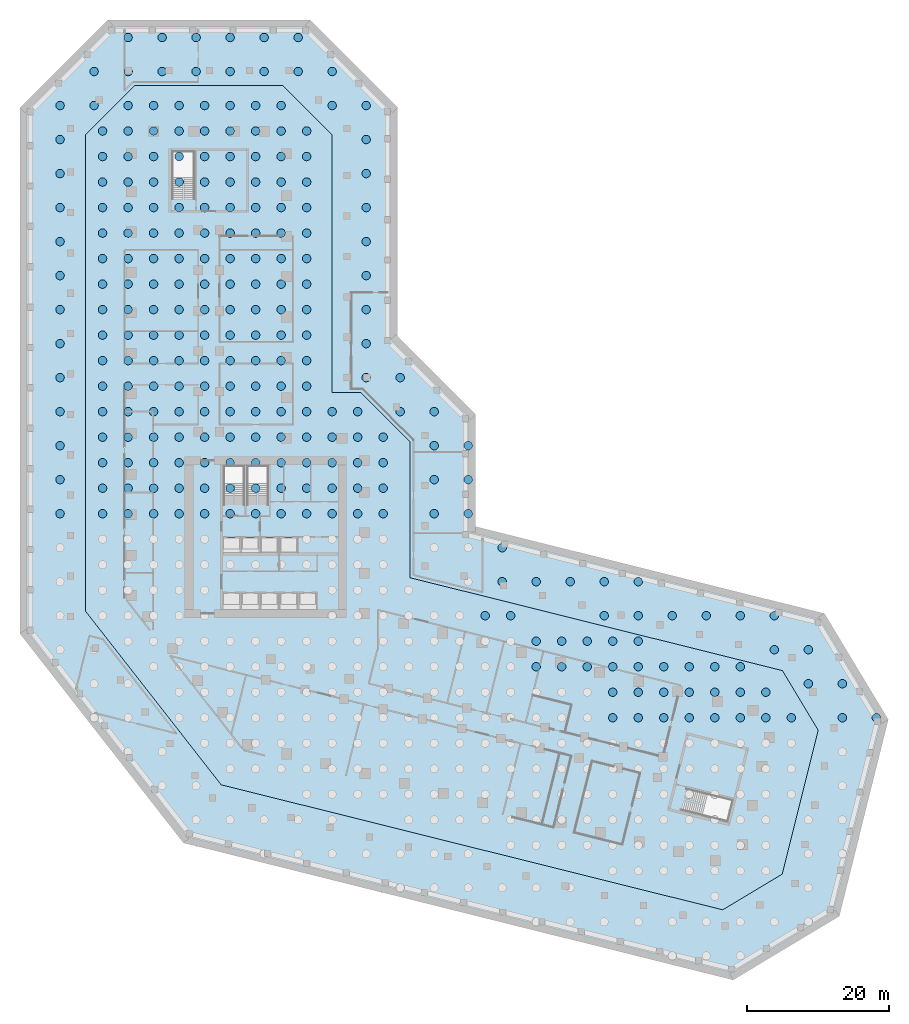
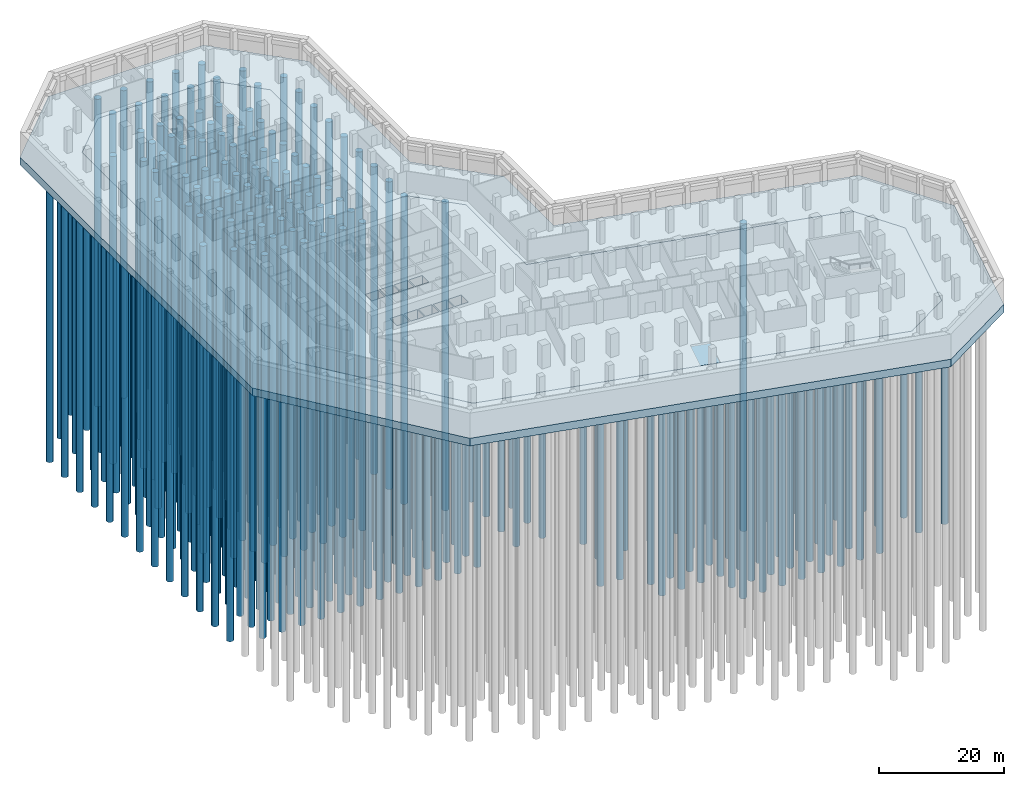
# One storey, part 2 of 15: 261 piles, 2 footings.
"""IFC4 building model written with IfcOpenShell, lengths in metres."""

from ifc_helpers import new_model, si_unit, direction, frame, origin, origin_2d, place, context, subcontext, project, spatial, polyline, circle, outline, extrude, material, layer, layer_set, material_profile, profile_set, type_object, element, save


model = new_model("IFC4")

# Units and contexts
model_context = context("Model", 3, precision=1e-05, world=origin(), true_north=direction((0.0, 1.0)))
body_context = subcontext(model_context, "Body", "Model", "MODEL_VIEW")
ifc_project = project(units=[si_unit("LENGTHUNIT", "METRE"), si_unit("AREAUNIT", "SQUARE_METRE"), si_unit("VOLUMEUNIT", "CUBIC_METRE"), si_unit("PLANEANGLEUNIT", "RADIAN"), si_unit("MASSUNIT", "GRAM", prefix="KILO")], contexts=[model_context])

# Site, building, storey
site_placement = place(None, origin())
site = spatial("IfcSite", under=ifc_project, at=site_placement, CompositionType="ELEMENT")
building_placement = place(site_placement, origin())
building = spatial("IfcBuilding", under=site, at=building_placement, Name="Meshkara Civic Tower", CompositionType="ELEMENT")
storey_placement = place(building_placement, frame((0.0, 0.0, -9.0)))
storey = spatial("IfcBuildingStorey", under=building, at=storey_placement, Name="B2", CompositionType="ELEMENT", Elevation=-9.0)

# Piles
ifc_material_1 = material(Name="Concrete C50", Category="concrete")
ifc_material_profile = material_profile(ifc_material_1, circle(Radius=0.60009765625, at=origin_2d()))
ifc_profile_set = profile_set([ifc_material_profile], Name="Concrete C50")
pile_type = type_object("IfcPileType", Name="Bored pile D1200 C50", PredefinedType="BORED", material=ifc_profile_set)
for number, where, z_axis, x_axis, name in (
    (1, (-3.60009765625, 28.800048828125, -3.25), (0.0, 0.0, -1.0), (1.0, 0.0, 0.0), "Bored pile"),
    (2, (-3.60009765625, 32.39990234375, -3.25), (0.0, 0.0, -1.0), (1.0, 0.0, 0.0), "Bored pile"),
    (3, (-3.60009765625, 36.0, -3.25), (0.0, 0.0, -1.0), (1.0, 0.0, 0.0), "Bored pile"),
    (4, (-3.60009765625, 39.60009765625, -3.25), (0.0, 0.0, -1.0), (1.0, 0.0, 0.0), "Bored pile"),
    (5, (-3.60009765625, 43.199951171875, -3.25), (0.0, 0.0, -1.0), (1.0, 0.0, 0.0), "Bored pile"),
    (6, (-3.60009765625, 46.800048828125, -3.25), (0.0, 0.0, -1.0), (1.0, 0.0, 0.0), "Bored pile"),
    (7, (-3.60009765625, 50.39990234375, -3.25), (0.0, 0.0, -1.0), (1.0, 0.0, 0.0), "Bored pile"),
    (8, (-3.60009765625, 54.0, -3.25), (0.0, 0.0, -1.0), (1.0, 0.0, 0.0), "Bored pile"),
    (9, (-3.60009765625, 57.60009765625, -3.25), (0.0, 0.0, -1.0), (1.0, 0.0, 0.0), "Bored pile"),
    (10, (-3.60009765625, 61.199951171875, -3.25), (0.0, 0.0, -1.0), (1.0, 0.0, 0.0), "Bored pile"),
    (11, (-3.60009765625, 64.800048828125, -3.25), (0.0, 0.0, -1.0), (1.0, 0.0, 0.0), "Bored pile"),
    (12, (-3.60009765625, 68.39990234375, -3.25), (0.0, 0.0, -1.0), (1.0, 0.0, 0.0), "Bored pile"),
    (13, (-3.60009765625, 72.0, -3.25), (0.0, 0.0, -1.0), (1.0, 0.0, 0.0), "Bored pile"),
    (14, (-3.60009765625, 75.60009765625, -3.25), (0.0, 0.0, -1.0), (1.0, 0.0, 0.0), "Bored pile"),
    (15, (-3.60009765625, 79.199951171875, -3.25), (0.0, 0.0, -1.0), (1.0, 0.0, 0.0), "Bored pile"),
    (16, (-3.60009765625, 82.800048828125, -3.25), (0.0, 0.0, -1.0), (1.0, 0.0, 0.0), "Bored pile"),
    (17, (0.0, 28.800048828125, -3.25), (0.0, 0.0, -1.0), (1.0, 0.0, 0.0), "Bored pile"),
    (18, (0.0, 32.39990234375, -3.25), (0.0, 0.0, -1.0), (1.0, 0.0, 0.0), "Bored pile"),
    (19, (0.0, 36.0, -3.25), (0.0, 0.0, -1.0), (1.0, 0.0, 0.0), "Bored pile"),
    (20, (0.0, 39.60009765625, -3.25), (0.0, 0.0, -1.0), (1.0, 0.0, 0.0), "Bored pile"),
    (21, (0.0, 43.199951171875, -3.25), (0.0, 0.0, -1.0), (1.0, 0.0, 0.0), "Bored pile"),
    (22, (0.0, 46.800048828125, -3.25), (0.0, 0.0, -1.0), (1.0, 0.0, 0.0), "Bored pile"),
    (23, (0.0, 50.39990234375, -3.25), (0.0, 0.0, -1.0), (1.0, 0.0, 0.0), "Bored pile"),
    (24, (0.0, 54.0, -3.25), (0.0, 0.0, -1.0), (1.0, 0.0, 0.0), "Bored pile"),
    (25, (0.0, 57.60009765625, -3.25), (0.0, 0.0, -1.0), (1.0, 0.0, 0.0), "Bored pile"),
    (26, (0.0, 61.199951171875, -3.25), (0.0, 0.0, -1.0), (1.0, 0.0, 0.0), "Bored pile"),
    (27, (0.0, 64.800048828125, -3.25), (0.0, 0.0, -1.0), (1.0, 0.0, 0.0), "Bored pile"),
    (28, (0.0, 68.39990234375, -3.25), (0.0, 0.0, -1.0), (1.0, 0.0, 0.0), "Bored pile"),
    (29, (0.0, 72.0, -3.25), (0.0, 0.0, -1.0), (1.0, 0.0, 0.0), "Bored pile"),
    (30, (0.0, 75.60009765625, -3.25), (0.0, 0.0, -1.0), (1.0, 0.0, 0.0), "Bored pile"),
    (31, (0.0, 79.199951171875, -3.25), (0.0, 0.0, -1.0), (1.0, 0.0, 0.0), "Bored pile"),
    (32, (0.0, 82.800048828125, -3.25), (0.0, 0.0, -1.0), (1.0, 0.0, 0.0), "Bored pile"),
    (33, (0.0, 86.39990234375, -3.25), (0.0, 0.0, -1.0), (1.0, 0.0, 0.0), "Bored pile"),
    (34, (3.60009765625, 28.800048828125, -3.25), (0.0, 0.0, -1.0), (1.0, 0.0, 0.0), "Bored pile"),
    (35, (3.60009765625, 32.39990234375, -3.25), (0.0, 0.0, -1.0), (1.0, 0.0, 0.0), "Bored pile"),
    (36, (3.60009765625, 36.0, -3.25), (0.0, 0.0, -1.0), (1.0, 0.0, 0.0), "Bored pile"),
    (37, (3.60009765625, 39.60009765625, -3.25), (0.0, 0.0, -1.0), (1.0, 0.0, 0.0), "Bored pile"),
    (38, (3.60009765625, 43.199951171875, -3.25), (0.0, 0.0, -1.0), (1.0, 0.0, 0.0), "Bored pile"),
    (39, (3.60009765625, 46.800048828125, -3.25), (0.0, 0.0, -1.0), (1.0, 0.0, 0.0), "Bored pile"),
    (40, (3.60009765625, 50.39990234375, -3.25), (0.0, 0.0, -1.0), (1.0, 0.0, 0.0), "Bored pile"),
    (41, (3.60009765625, 54.0, -3.25), (0.0, 0.0, -1.0), (1.0, 0.0, 0.0), "Bored pile"),
    (42, (3.60009765625, 57.60009765625, -3.25), (0.0, 0.0, -1.0), (1.0, 0.0, 0.0), "Bored pile"),
    (43, (3.60009765625, 61.199951171875, -3.25), (0.0, 0.0, -1.0), (1.0, 0.0, 0.0), "Bored pile"),
    (44, (3.60009765625, 64.800048828125, -3.25), (0.0, 0.0, -1.0), (1.0, 0.0, 0.0), "Bored pile"),
    (45, (3.60009765625, 68.39990234375, -3.25), (0.0, 0.0, -1.0), (1.0, 0.0, 0.0), "Bored pile"),
    (46, (3.60009765625, 72.0, -3.25), (0.0, 0.0, -1.0), (1.0, 0.0, 0.0), "Bored pile"),
    (47, (3.60009765625, 75.60009765625, -3.25), (0.0, 0.0, -1.0), (1.0, 0.0, 0.0), "Bored pile"),
    (48, (3.60009765625, 79.199951171875, -3.25), (0.0, 0.0, -1.0), (1.0, 0.0, 0.0), "Bored pile"),
    (49, (3.60009765625, 82.800048828125, -3.25), (0.0, 0.0, -1.0), (1.0, 0.0, 0.0), "Bored pile"),
    (50, (3.60009765625, 86.39990234375, -3.25), (0.0, 0.0, -1.0), (1.0, 0.0, 0.0), "Bored pile"),
    (51, (7.199951171875, 28.800048828125, -3.25), (0.0, 0.0, -1.0), (1.0, 0.0, 0.0), "Bored pile"),
    (52, (7.199951171875, 32.39990234375, -3.25), (0.0, 0.0, -1.0), (1.0, 0.0, 0.0), "Bored pile"),
    (53, (7.199951171875, 36.0, -3.25), (0.0, 0.0, -1.0), (1.0, 0.0, 0.0), "Bored pile"),
    (54, (7.199951171875, 39.60009765625, -3.25), (0.0, 0.0, -1.0), (1.0, 0.0, 0.0), "Bored pile"),
    (55, (7.199951171875, 43.199951171875, -3.25), (0.0, 0.0, -1.0), (1.0, 0.0, 0.0), "Bored pile"),
    (56, (7.199951171875, 46.800048828125, -3.25), (0.0, 0.0, -1.0), (1.0, 0.0, 0.0), "Bored pile"),
    (57, (7.199951171875, 50.39990234375, -3.25), (0.0, 0.0, -1.0), (1.0, 0.0, 0.0), "Bored pile"),
    (58, (7.199951171875, 54.0, -3.25), (0.0, 0.0, -1.0), (1.0, 0.0, 0.0), "Bored pile"),
    (59, (7.199951171875, 57.60009765625, -3.25), (0.0, 0.0, -1.0), (1.0, 0.0, 0.0), "Bored pile"),
    (60, (7.199951171875, 61.199951171875, -3.25), (0.0, 0.0, -1.0), (1.0, 0.0, 0.0), "Bored pile"),
    (61, (7.199951171875, 64.800048828125, -3.25), (0.0, 0.0, -1.0), (1.0, 0.0, 0.0), "Bored pile"),
    (62, (7.199951171875, 68.39990234375, -3.25), (0.0, 0.0, -1.0), (1.0, 0.0, 0.0), "Bored pile"),
    (63, (7.199951171875, 72.0, -3.25), (0.0, 0.0, -1.0), (1.0, 0.0, 0.0), "Bored pile"),
    (64, (7.199951171875, 75.60009765625, -3.25), (0.0, 0.0, -1.0), (1.0, 0.0, 0.0), "Bored pile"),
    (65, (7.199951171875, 79.199951171875, -3.25), (0.0, 0.0, -1.0), (1.0, 0.0, 0.0), "Bored pile"),
    (66, (7.199951171875, 82.800048828125, -3.25), (0.0, 0.0, -1.0), (1.0, 0.0, 0.0), "Bored pile"),
    (67, (7.199951171875, 86.39990234375, -3.25), (0.0, 0.0, -1.0), (1.0, 0.0, 0.0), "Bored pile"),
    (68, (10.800048828125, 28.800048828125, -3.25), (0.0, 0.0, -1.0), (1.0, 0.0, 0.0), "Bored pile"),
    (69, (10.800048828125, 32.39990234375, -3.25), (0.0, 0.0, -1.0), (1.0, 0.0, 0.0), "Bored pile"),
    (70, (10.800048828125, 36.0, -3.25), (0.0, 0.0, -1.0), (1.0, 0.0, 0.0), "Bored pile"),
    (71, (10.800048828125, 39.60009765625, -3.25), (0.0, 0.0, -1.0), (1.0, 0.0, 0.0), "Bored pile"),
    (72, (10.800048828125, 43.199951171875, -3.25), (0.0, 0.0, -1.0), (1.0, 0.0, 0.0), "Bored pile"),
    (73, (10.800048828125, 46.800048828125, -3.25), (0.0, 0.0, -1.0), (1.0, 0.0, 0.0), "Bored pile"),
    (74, (10.800048828125, 50.39990234375, -3.25), (0.0, 0.0, -1.0), (1.0, 0.0, 0.0), "Bored pile"),
    (75, (10.800048828125, 54.0, -3.25), (0.0, 0.0, -1.0), (1.0, 0.0, 0.0), "Bored pile"),
    (76, (10.800048828125, 57.60009765625, -3.25), (0.0, 0.0, -1.0), (1.0, 0.0, 0.0), "Bored pile"),
    (77, (10.800048828125, 61.199951171875, -3.25), (0.0, 0.0, -1.0), (1.0, 0.0, 0.0), "Bored pile"),
    (78, (10.800048828125, 64.800048828125, -3.25), (0.0, 0.0, -1.0), (1.0, 0.0, 0.0), "Bored pile"),
    (79, (10.800048828125, 68.39990234375, -3.25), (0.0, 0.0, -1.0), (1.0, 0.0, 0.0), "Bored pile"),
    (80, (10.800048828125, 72.0, -3.25), (0.0, 0.0, -1.0), (1.0, 0.0, 0.0), "Bored pile"),
    (81, (10.800048828125, 75.60009765625, -3.25), (0.0, 0.0, -1.0), (1.0, 0.0, 0.0), "Bored pile"),
    (82, (10.800048828125, 79.199951171875, -3.25), (0.0, 0.0, -1.0), (1.0, 0.0, 0.0), "Bored pile"),
    (83, (10.800048828125, 82.800048828125, -3.25), (0.0, 0.0, -1.0), (1.0, 0.0, 0.0), "Bored pile"),
    (84, (10.800048828125, 86.39990234375, -3.25), (0.0, 0.0, -1.0), (1.0, 0.0, 0.0), "Bored pile"),
    (85, (14.39990234375, 28.800048828125, -3.25), (0.0, 0.0, -1.0), (1.0, 0.0, 0.0), "Bored pile"),
    (86, (14.39990234375, 32.39990234375, -3.25), (0.0, 0.0, -1.0), (1.0, 0.0, 0.0), "Bored pile"),
    (87, (14.39990234375, 36.0, -3.25), (0.0, 0.0, -1.0), (1.0, 0.0, 0.0), "Bored pile"),
    (88, (14.39990234375, 39.60009765625, -3.25), (0.0, 0.0, -1.0), (1.0, 0.0, 0.0), "Bored pile"),
    (89, (14.39990234375, 43.199951171875, -3.25), (0.0, 0.0, -1.0), (1.0, 0.0, 0.0), "Bored pile"),
    (90, (14.39990234375, 46.800048828125, -3.25), (0.0, 0.0, -1.0), (1.0, 0.0, 0.0), "Bored pile"),
    (91, (14.39990234375, 50.39990234375, -3.25), (0.0, 0.0, -1.0), (1.0, 0.0, 0.0), "Bored pile"),
    (92, (14.39990234375, 54.0, -3.25), (0.0, 0.0, -1.0), (1.0, 0.0, 0.0), "Bored pile"),
    (93, (14.39990234375, 57.60009765625, -3.25), (0.0, 0.0, -1.0), (1.0, 0.0, 0.0), "Bored pile"),
    (94, (14.39990234375, 61.199951171875, -3.25), (0.0, 0.0, -1.0), (1.0, 0.0, 0.0), "Bored pile"),
    (95, (14.39990234375, 64.800048828125, -3.25), (0.0, 0.0, -1.0), (1.0, 0.0, 0.0), "Bored pile"),
    (96, (14.39990234375, 68.39990234375, -3.25), (0.0, 0.0, -1.0), (1.0, 0.0, 0.0), "Bored pile"),
    (97, (14.39990234375, 72.0, -3.25), (0.0, 0.0, -1.0), (1.0, 0.0, 0.0), "Bored pile"),
    (98, (14.39990234375, 75.60009765625, -3.25), (0.0, 0.0, -1.0), (1.0, 0.0, 0.0), "Bored pile"),
    (99, (14.39990234375, 79.199951171875, -3.25), (0.0, 0.0, -1.0), (1.0, 0.0, 0.0), "Bored pile"),
    (100, (14.39990234375, 82.800048828125, -3.25), (0.0, 0.0, -1.0), (1.0, 0.0, 0.0), "Bored pile"),
    (101, (14.39990234375, 86.39990234375, -3.25), (0.0, 0.0, -1.0), (1.0, 0.0, 0.0), "Bored pile"),
    (102, (18.0, 28.800048828125, -3.25), (0.0, 0.0, -1.0), (1.0, 0.0, 0.0), "Bored pile"),
    (103, (18.0, 32.39990234375, -3.25), (0.0, 0.0, -1.0), (1.0, 0.0, 0.0), "Bored pile"),
    (104, (18.0, 36.0, -3.25), (0.0, 0.0, -1.0), (1.0, 0.0, 0.0), "Bored pile"),
    (105, (18.0, 39.60009765625, -3.25), (0.0, 0.0, -1.0), (1.0, 0.0, 0.0), "Bored pile"),
    (106, (18.0, 43.199951171875, -3.25), (0.0, 0.0, -1.0), (1.0, 0.0, 0.0), "Bored pile"),
    (107, (18.0, 46.800048828125, -3.25), (0.0, 0.0, -1.0), (1.0, 0.0, 0.0), "Bored pile"),
    (108, (18.0, 50.39990234375, -3.25), (0.0, 0.0, -1.0), (1.0, 0.0, 0.0), "Bored pile"),
    (109, (18.0, 54.0, -3.25), (0.0, 0.0, -1.0), (1.0, 0.0, 0.0), "Bored pile"),
    (110, (18.0, 57.60009765625, -3.25), (0.0, 0.0, -1.0), (1.0, 0.0, 0.0), "Bored pile"),
    (111, (18.0, 61.199951171875, -3.25), (0.0, 0.0, -1.0), (1.0, 0.0, 0.0), "Bored pile"),
    (112, (18.0, 64.800048828125, -3.25), (0.0, 0.0, -1.0), (1.0, 0.0, 0.0), "Bored pile"),
    (113, (18.0, 68.39990234375, -3.25), (0.0, 0.0, -1.0), (1.0, 0.0, 0.0), "Bored pile"),
    (114, (18.0, 72.0, -3.25), (0.0, 0.0, -1.0), (1.0, 0.0, 0.0), "Bored pile"),
    (115, (18.0, 75.60009765625, -3.25), (0.0, 0.0, -1.0), (1.0, 0.0, 0.0), "Bored pile"),
    (116, (18.0, 79.199951171875, -3.25), (0.0, 0.0, -1.0), (1.0, 0.0, 0.0), "Bored pile"),
    (117, (18.0, 82.800048828125, -3.25), (0.0, 0.0, -1.0), (1.0, 0.0, 0.0), "Bored pile"),
    (118, (18.0, 86.39990234375, -3.25), (0.0, 0.0, -1.0), (1.0, 0.0, 0.0), "Bored pile"),
    (119, (21.60009765625, 28.800048828125, -3.25), (0.0, 0.0, -1.0), (1.0, 0.0, 0.0), "Bored pile"),
    (120, (21.60009765625, 32.39990234375, -3.25), (0.0, 0.0, -1.0), (1.0, 0.0, 0.0), "Bored pile"),
    (121, (21.60009765625, 36.0, -3.25), (0.0, 0.0, -1.0), (1.0, 0.0, 0.0), "Bored pile"),
    (122, (21.60009765625, 39.60009765625, -3.25), (0.0, 0.0, -1.0), (1.0, 0.0, 0.0), "Bored pile"),
    (123, (21.60009765625, 43.199951171875, -3.25), (0.0, 0.0, -1.0), (1.0, 0.0, 0.0), "Bored pile"),
    (124, (21.60009765625, 46.800048828125, -3.25), (0.0, 0.0, -1.0), (1.0, 0.0, 0.0), "Bored pile"),
    (125, (21.60009765625, 50.39990234375, -3.25), (0.0, 0.0, -1.0), (1.0, 0.0, 0.0), "Bored pile"),
    (126, (21.60009765625, 54.0, -3.25), (0.0, 0.0, -1.0), (1.0, 0.0, 0.0), "Bored pile"),
    (127, (21.60009765625, 57.60009765625, -3.25), (0.0, 0.0, -1.0), (1.0, 0.0, 0.0), "Bored pile"),
    (128, (21.60009765625, 61.199951171875, -3.25), (0.0, 0.0, -1.0), (1.0, 0.0, 0.0), "Bored pile"),
    (129, (21.60009765625, 64.800048828125, -3.25), (0.0, 0.0, -1.0), (1.0, 0.0, 0.0), "Bored pile"),
    (130, (21.60009765625, 68.39990234375, -3.25), (0.0, 0.0, -1.0), (1.0, 0.0, 0.0), "Bored pile"),
    (131, (21.60009765625, 72.0, -3.25), (0.0, 0.0, -1.0), (1.0, 0.0, 0.0), "Bored pile"),
    (132, (21.60009765625, 75.60009765625, -3.25), (0.0, 0.0, -1.0), (1.0, 0.0, 0.0), "Bored pile"),
    (133, (21.60009765625, 79.199951171875, -3.25), (0.0, 0.0, -1.0), (1.0, 0.0, 0.0), "Bored pile"),
    (134, (21.60009765625, 82.800048828125, -3.25), (0.0, 0.0, -1.0), (1.0, 0.0, 0.0), "Bored pile"),
    (135, (21.60009765625, 86.39990234375, -3.25), (0.0, 0.0, -1.0), (1.0, 0.0, 0.0), "Bored pile"),
    (136, (25.199951171875, 28.800048828125, -3.25), (0.0, 0.0, -1.0), (1.0, 0.0, 0.0), "Bored pile"),
    (137, (25.199951171875, 32.39990234375, -3.25), (0.0, 0.0, -1.0), (1.0, 0.0, 0.0), "Bored pile"),
    (138, (25.199951171875, 36.0, -3.25), (0.0, 0.0, -1.0), (1.0, 0.0, 0.0), "Bored pile"),
    (139, (25.199951171875, 39.60009765625, -3.25), (0.0, 0.0, -1.0), (1.0, 0.0, 0.0), "Bored pile"),
    (140, (25.199951171875, 43.199951171875, -3.25), (0.0, 0.0, -1.0), (1.0, 0.0, 0.0), "Bored pile"),
    (141, (25.199951171875, 46.800048828125, -3.25), (0.0, 0.0, -1.0), (1.0, 0.0, 0.0), "Bored pile"),
    (142, (25.199951171875, 50.39990234375, -3.25), (0.0, 0.0, -1.0), (1.0, 0.0, 0.0), "Bored pile"),
    (143, (25.199951171875, 54.0, -3.25), (0.0, 0.0, -1.0), (1.0, 0.0, 0.0), "Bored pile"),
    (144, (25.199951171875, 57.60009765625, -3.25), (0.0, 0.0, -1.0), (1.0, 0.0, 0.0), "Bored pile"),
    (145, (25.199951171875, 61.199951171875, -3.25), (0.0, 0.0, -1.0), (1.0, 0.0, 0.0), "Bored pile"),
    (146, (25.199951171875, 64.800048828125, -3.25), (0.0, 0.0, -1.0), (1.0, 0.0, 0.0), "Bored pile"),
    (147, (25.199951171875, 68.39990234375, -3.25), (0.0, 0.0, -1.0), (1.0, 0.0, 0.0), "Bored pile"),
    (148, (25.199951171875, 72.0, -3.25), (0.0, 0.0, -1.0), (1.0, 0.0, 0.0), "Bored pile"),
    (149, (25.199951171875, 75.60009765625, -3.25), (0.0, 0.0, -1.0), (1.0, 0.0, 0.0), "Bored pile"),
    (150, (25.199951171875, 79.199951171875, -3.25), (0.0, 0.0, -1.0), (1.0, 0.0, 0.0), "Bored pile"),
    (151, (25.199951171875, 82.800048828125, -3.25), (0.0, 0.0, -1.0), (1.0, 0.0, 0.0), "Bored pile"),
    (152, (28.800048828125, 28.800048828125, -3.25), (0.0, 0.0, -1.0), (1.0, 0.0, 0.0), "Bored pile"),
    (153, (28.800048828125, 32.39990234375, -3.25), (0.0, 0.0, -1.0), (1.0, 0.0, 0.0), "Bored pile"),
    (154, (28.800048828125, 36.0, -3.25), (0.0, 0.0, -1.0), (1.0, 0.0, 0.0), "Bored pile"),
    (155, (28.800048828125, 39.60009765625, -3.25), (0.0, 0.0, -1.0), (1.0, 0.0, 0.0), "Bored pile"),
    (156, (28.800048828125, 43.199951171875, -3.25), (0.0, 0.0, -1.0), (1.0, 0.0, 0.0), "Bored pile"),
    (157, (32.39990234375, 28.800048828125, -3.25), (0.0, 0.0, -1.0), (1.0, 0.0, 0.0), "Bored pile"),
    (158, (32.39990234375, 32.39990234375, -3.25), (0.0, 0.0, -1.0), (1.0, 0.0, 0.0), "Bored pile"),
    (159, (32.39990234375, 36.0, -3.25), (0.0, 0.0, -1.0), (1.0, 0.0, 0.0), "Bored pile"),
    (160, (32.39990234375, 39.60009765625, -3.25), (0.0, 0.0, -1.0), (1.0, 0.0, 0.0), "Bored pile"),
    (161, (32.39990234375, 43.199951171875, -3.25), (0.0, 0.0, -1.0), (1.0, 0.0, 0.0), "Bored pile"),
    (162, (36.0, 28.800048828125, -3.25), (0.0, 0.0, -1.0), (1.0, 0.0, 0.0), "Bored pile"),
    (163, (36.0, 32.39990234375, -3.25), (0.0, 0.0, -1.0), (1.0, 0.0, 0.0), "Bored pile"),
    (164, (36.0, 36.0, -3.25), (0.0, 0.0, -1.0), (1.0, 0.0, 0.0), "Bored pile"),
    (165, (36.0, 39.60009765625, -3.25), (0.0, 0.0, -1.0), (1.0, 0.0, 0.0), "Bored pile"),
    (166, (50.39990234375, 14.39990234375, -3.25), (0.0, 0.0, -1.0), (1.0, 0.0, 0.0), "Bored pile"),
    (167, (54.0, 14.39990234375, -3.25), (0.0, 0.0, -1.0), (1.0, 0.0, 0.0), "Bored pile"),
    (168, (57.60009765625, 7.199951171875, -3.25), (0.0, 0.0, -1.0), (1.0, 0.0, 0.0), "Bored pile"),
    (169, (57.60009765625, 10.800048828125, -3.25), (0.0, 0.0, -1.0), (1.0, 0.0, 0.0), "Bored pile"),
    (170, (61.199951171875, 7.199951171875, -3.25), (0.0, 0.0, -1.0), (1.0, 0.0, 0.0), "Bored pile"),
    (171, (61.199951171875, 10.800048828125, -3.25), (0.0, 0.0, -1.0), (1.0, 0.0, 0.0), "Bored pile"),
    (172, (64.800048828125, 7.199951171875, -3.25), (0.0, 0.0, -1.0), (1.0, 0.0, 0.0), "Bored pile"),
    (173, (64.800048828125, 10.800048828125, -3.25), (0.0, 0.0, -1.0), (1.0, 0.0, 0.0), "Bored pile"),
    (174, (68.39990234375, 0.0, -3.25), (0.0, 0.0, -1.0), (1.0, 0.0, 0.0), "Bored pile"),
    (175, (68.39990234375, 3.60009765625, -3.25), (0.0, 0.0, -1.0), (1.0, 0.0, 0.0), "Bored pile"),
    (176, (68.39990234375, 7.199951171875, -3.25), (0.0, 0.0, -1.0), (1.0, 0.0, 0.0), "Bored pile"),
    (177, (68.39990234375, 10.800048828125, -3.25), (0.0, 0.0, -1.0), (1.0, 0.0, 0.0), "Bored pile"),
    (178, (72.0, 0.0, -3.25), (0.0, 0.0, -1.0), (1.0, 0.0, 0.0), "Bored pile"),
    (179, (72.0, 3.60009765625, -3.25), (0.0, 0.0, -1.0), (1.0, 0.0, 0.0), "Bored pile"),
    (180, (72.0, 7.199951171875, -3.25), (0.0, 0.0, -1.0), (1.0, 0.0, 0.0), "Bored pile"),
    (181, (72.0, 10.800048828125, -3.25), (0.0, 0.0, -1.0), (1.0, 0.0, 0.0), "Bored pile"),
    (182, (75.60009765625, 0.0, -3.25), (0.0, 0.0, -1.0), (1.0, 0.0, 0.0), "Bored pile"),
    (183, (75.60009765625, 3.60009765625, -3.25), (0.0, 0.0, -1.0), (1.0, 0.0, 0.0), "Bored pile"),
    (184, (75.60009765625, 7.199951171875, -3.25), (0.0, 0.0, -1.0), (1.0, 0.0, 0.0), "Bored pile"),
    (185, (79.199951171875, 0.0, -3.25), (0.0, 0.0, -1.0), (1.0, 0.0, 0.0), "Bored pile"),
    (186, (79.199951171875, 3.60009765625, -3.25), (0.0, 0.0, -1.0), (1.0, 0.0, 0.0), "Bored pile"),
    (187, (79.199951171875, 7.199951171875, -3.25), (0.0, 0.0, -1.0), (1.0, 0.0, 0.0), "Bored pile"),
    (188, (82.800048828125, 0.0, -3.25), (0.0, 0.0, -1.0), (1.0, 0.0, 0.0), "Bored pile"),
    (189, (82.800048828125, 3.60009765625, -3.25), (0.0, 0.0, -1.0), (1.0, 0.0, 0.0), "Bored pile"),
    (190, (82.800048828125, 7.199951171875, -3.25), (0.0, 0.0, -1.0), (1.0, 0.0, 0.0), "Bored pile"),
    (191, (86.39990234375, 0.0, -3.25), (0.0, 0.0, -1.0), (1.0, 0.0, 0.0), "Bored pile"),
    (192, (86.39990234375, 3.60009765625, -3.25), (0.0, 0.0, -1.0), (1.0, 0.0, 0.0), "Bored pile"),
    (193, (86.39990234375, 7.199951171875, -3.25), (0.0, 0.0, -1.0), (1.0, 0.0, 0.0), "Bored pile"),
    (194, (90.0, 0.0, -3.25), (0.0, 0.0, -1.0), (1.0, 0.0, 0.0), "Bored pile"),
    (195, (90.0, 3.60009765625, -3.25), (0.0, 0.0, -1.0), (1.0, 0.0, 0.0), "Bored pile"),
    (196, (93.60009765625, 0.0, -3.25), (0.0, 0.0, -1.0), (1.0, 0.0, 0.0), "Bored pile"),
    (197, (-9.60009765625, 28.800048828125, -1.75), (0.0, 0.0, -1.0), (1.0, 0.0, 0.0), "Bored pile"),
    (198, (-9.60009765625, 33.60009765625, -1.75), (0.0, 0.0, -1.0), (1.0, 0.0, 0.0), "Bored pile"),
    (199, (-9.60009765625, 38.39990234375, -1.75), (0.0, 0.0, -1.0), (1.0, 0.0, 0.0), "Bored pile"),
    (200, (-9.60009765625, 43.199951171875, -1.75), (0.0, 0.0, -1.0), (1.0, 0.0, 0.0), "Bored pile"),
    (201, (-9.60009765625, 48.0, -1.75), (0.0, 0.0, -1.0), (1.0, 0.0, 0.0), "Bored pile"),
    (202, (-9.60009765625, 52.800048828125, -1.75), (0.0, 0.0, -1.0), (1.0, 0.0, 0.0), "Bored pile"),
    (203, (-9.60009765625, 57.60009765625, -1.75), (0.0, 0.0, -1.0), (1.0, 0.0, 0.0), "Bored pile"),
    (204, (-9.60009765625, 62.39990234375, -1.75), (0.0, 0.0, -1.0), (1.0, 0.0, 0.0), "Bored pile"),
    (205, (-9.60009765625, 67.199951171875, -1.75), (0.0, 0.0, -1.0), (1.0, 0.0, 0.0), "Bored pile"),
    (206, (-9.60009765625, 72.0, -1.75), (0.0, 0.0, -1.0), (1.0, 0.0, 0.0), "Bored pile"),
    (207, (-9.60009765625, 76.800048828125, -1.75), (0.0, 0.0, -1.0), (1.0, 0.0, 0.0), "Bored pile"),
    (208, (-9.60009765625, 81.60009765625, -1.75), (0.0, 0.0, -1.0), (1.0, 0.0, 0.0), "Bored pile"),
    (209, (-9.60009765625, 86.39990234375, -1.75), (0.0, 0.0, -1.0), (1.0, 0.0, 0.0), "Bored pile"),
    (210, (-4.800048828125, 86.39990234375, -1.75), (0.0, 0.0, -1.0), (1.0, 0.0, 0.0), "Bored pile"),
    (211, (-4.800048828125, 91.199951171875, -1.75), (0.0, 0.0, -1.0), (1.0, 0.0, 0.0), "Bored pile"),
    (212, (0.0, 91.199951171875, -1.75), (0.0, 0.0, -1.0), (1.0, 0.0, 0.0), "Bored pile"),
    (213, (0.0, 96.0, -1.75), (0.0, 0.0, -1.0), (1.0, 0.0, 0.0), "Bored pile"),
    (214, (4.800048828125, 91.199951171875, -1.75), (0.0, 0.0, -1.0), (1.0, 0.0, 0.0), "Bored pile"),
    (215, (4.800048828125, 96.0, -1.75), (0.0, 0.0, -1.0), (1.0, 0.0, 0.0), "Bored pile"),
    (216, (9.60009765625, 91.199951171875, -1.75), (0.0, 0.0, -1.0), (1.0, 0.0, 0.0), "Bored pile"),
    (217, (9.60009765625, 96.0, -1.75), (0.0, 0.0, -1.0), (1.0, 0.0, 0.0), "Bored pile"),
    (218, (14.39990234375, 91.199951171875, -1.75), (0.0, 0.0, -1.0), (1.0, 0.0, 0.0), "Bored pile"),
    (219, (14.39990234375, 96.0, -1.75), (0.0, 0.0, -1.0), (1.0, 0.0, 0.0), "Bored pile"),
    (220, (19.199951171875, 91.199951171875, -1.75), (0.0, 0.0, -1.0), (1.0, 0.0, 0.0), "Bored pile"),
    (221, (19.199951171875, 96.0, -1.75), (0.0, 0.0, -1.0), (1.0, 0.0, 0.0), "Bored pile"),
    (222, (24.0, 91.199951171875, -1.75), (0.0, 0.0, -1.0), (1.0, 0.0, 0.0), "Bored pile"),
    (223, (24.0, 96.0, -1.75), (0.0, 0.0, -1.0), (1.0, 0.0, 0.0), "Bored pile"),
    (224, (28.800048828125, 86.39990234375, -1.75), (0.0, 0.0, -1.0), (1.0, 0.0, 0.0), "Bored pile"),
    (225, (28.800048828125, 91.199951171875, -1.75), (0.0, 0.0, -1.0), (1.0, 0.0, 0.0), "Bored pile"),
    (226, (33.60009765625, 48.0, -1.75), (0.0, 0.0, -1.0), (1.0, 0.0, 0.0), "Bored pile"),
    (227, (33.60009765625, 52.800048828125, -1.75), (0.0, 0.0, -1.0), (1.0, 0.0, 0.0), "Bored pile"),
    (228, (33.60009765625, 57.60009765625, -1.75), (0.0, 0.0, -1.0), (1.0, 0.0, 0.0), "Bored pile"),
    (229, (33.60009765625, 62.39990234375, -1.75), (0.0, 0.0, -1.0), (1.0, 0.0, 0.0), "Bored pile"),
    (230, (33.60009765625, 67.199951171875, -1.75), (0.0, 0.0, -1.0), (1.0, 0.0, 0.0), "Bored pile"),
    (231, (33.60009765625, 72.0, -1.75), (0.0, 0.0, -1.0), (1.0, 0.0, 0.0), "Bored pile"),
    (232, (33.60009765625, 76.800048828125, -1.75), (0.0, 0.0, -1.0), (1.0, 0.0, 0.0), "Bored pile"),
    (233, (33.60009765625, 81.60009765625, -1.75), (0.0, 0.0, -1.0), (1.0, 0.0, 0.0), "Bored pile"),
    (234, (33.60009765625, 86.39990234375, -1.75), (0.0, 0.0, -1.0), (1.0, 0.0, 0.0), "Bored pile"),
    (235, (38.39990234375, 43.199951171875, -1.75), (0.0, 0.0, -1.0), (1.0, 0.0, 0.0), "Bored pile"),
    (236, (38.39990234375, 48.0, -1.75), (0.0, 0.0, -1.0), (1.0, 0.0, 0.0), "Bored pile"),
    (237, (43.199951171875, 28.800048828125, -1.75), (0.0, 0.0, -1.0), (1.0, 0.0, 0.0), "Bored pile"),
    (238, (43.199951171875, 33.60009765625, -1.75), (0.0, 0.0, -1.0), (1.0, 0.0, 0.0), "Bored pile"),
    (239, (43.199951171875, 38.39990234375, -1.75), (0.0, 0.0, -1.0), (1.0, 0.0, 0.0), "Bored pile"),
    (240, (43.199951171875, 43.199951171875, -1.75), (0.0, 0.0, -1.0), (1.0, 0.0, 0.0), "Bored pile"),
    (241, (48.0, 28.800048828125, -1.75), (0.0, 0.0, -1.0), (1.0, 0.0, 0.0), "Bored pile"),
    (242, (48.0, 33.60009765625, -1.75), (0.0, 0.0, -1.0), (1.0, 0.0, 0.0), "Bored pile"),
    (243, (48.0, 38.39990234375, -1.75), (0.0, 0.0, -1.0), (1.0, 0.0, 0.0), "Bored pile"),
    (244, (52.800048828125, 19.199951171875, -1.75), (0.0, 0.0, -1.0), (1.0, 0.0, 0.0), "Bored pile"),
    (245, (52.800048828125, 24.0, -1.75), (0.0, 0.0, -1.0), (1.0, 0.0, 0.0), "Bored pile"),
    (246, (57.60009765625, 19.199951171875, -1.75), (0.0, 0.0, -1.0), (1.0, 0.0, 0.0), "Bored pile"),
    (247, (62.39990234375, 19.199951171875, -1.75), (0.0, 0.0, -1.0), (1.0, 0.0, 0.0), "Bored pile"),
    (248, (67.199951171875, 14.39990234375, -1.75), (0.0, 0.0, -1.0), (1.0, 0.0, 0.0), "Bored pile"),
    (249, (67.199951171875, 19.199951171875, -1.75), (0.0, 0.0, -1.0), (1.0, 0.0, 0.0), "Bored pile"),
    (250, (72.0, 14.39990234375, -1.75), (0.0, 0.0, -1.0), (1.0, 0.0, 0.0), "Bored pile"),
    (251, (72.0, 19.199951171875, -1.75), (0.0, 0.0, -1.0), (1.0, 0.0, 0.0), "Bored pile"),
    (252, (76.800048828125, 14.39990234375, -1.75), (0.0, 0.0, -1.0), (1.0, 0.0, 0.0), "Bored pile"),
    (253, (81.60009765625, 14.39990234375, -1.75), (0.0, 0.0, -1.0), (1.0, 0.0, 0.0), "Bored pile"),
    (254, (86.39990234375, 14.39990234375, -1.75), (0.0, 0.0, -1.0), (1.0, 0.0, 0.0), "Bored pile"),
    (255, (91.199951171875, 9.60009765625, -1.75), (0.0, 0.0, -1.0), (1.0, 0.0, 0.0), "Bored pile"),
    (256, (91.199951171875, 14.39990234375, -1.75), (0.0, 0.0, -1.0), (1.0, 0.0, 0.0), "Bored pile"),
    (257, (96.0, 4.800048828125, -1.75), (0.0, 0.0, -1.0), (1.0, 0.0, 0.0), "Bored pile"),
    (258, (96.0, 9.60009765625, -1.75), (0.0, 0.0, -1.0), (1.0, 0.0, 0.0), "Bored pile"),
    (259, (100.800048828125, 0.0, -1.75), (0.0, 0.0, -1.0), (1.0, 0.0, 0.0), "Bored pile"),
    (260, (100.800048828125, 4.800048828125, -1.75), (0.0, 0.0, -1.0), (1.0, 0.0, 0.0), "Bored pile"),
    (261, (105.60009765625, 0.0, -1.75), (0.0, 0.0, -1.0), (1.0, 0.0, 0.0), "Bored pile"),
):
    element("IfcPile", number, at=place(storey_placement, frame(where, z_axis=z_axis, x_axis=x_axis)), inside=storey, type_object=pile_type, Name=name, PredefinedType="BORED", context=body_context, shape_type="SweptSolid", body=[
        extrude(circle(Radius=0.60009765625, at=origin_2d()), origin(), (0.0, 0.0, 1.0), 60.0),
    ])

# Footings
ifc_material_2 = material(Name="Concrete C60", Category="concrete")
ifc_layer_1 = layer(ifc_material_2, 1.5)
ifc_layer_set_1 = layer_set([ifc_layer_1], Name="Podium piled raft 1500 C60")
footing_type_1 = type_object("IfcFootingType", Name="Podium piled raft 1500 C60", PredefinedType="PILE_CAP", material=ifc_layer_set_1)
footing_1_placement = place(storey_placement, frame((0.0, 0.0, -1.89990234375)))
element("IfcFooting", 262, at=footing_1_placement, inside=storey, type_object=footing_type_1, Name="Podium piled raft", PredefinedType="PILE_CAP", context=body_context, shape_type="SweptSolid", body=[
    extrude(outline(polyline([(38.050048828125, 53.797119140625), (49.050048828125, 42.797119140625), (49.050048828125, 26.9853515625), (98.293701171875, 14.70703125), (107.29248046875, -0.26708984375), (100.3740234375, -28.01171875), (85.39990234375, -37.009521484375), (7.80810546875, -17.6640625), (-15.25, 11.8486328125), (-15.25, 86.1171875), (-2.897216796875, 98.469970703125), (25.697265625, 98.469970703125), (38.050048828125, 86.1171875), (38.050048828125, 53.797119140625)]), holes=[polyline([(92.3388671875, 6.65869140625), (39.800048828125, 19.7587890625), (39.800048828125, 38.96533203125), (32.865234375, 45.89990234375), (28.800048828125, 45.89990234375), (28.800048828125, 82.285400390625), (21.865234375, 89.219970703125), (0.934814453125, 89.219970703125), (-6.0, 82.285400390625), (-6.0, 15.0341796875), (13.135986328125, -9.458984375), (83.919921875, -27.10693359375), (92.326416015625, -22.05615234375), (97.39013671875, -1.746826171875), (92.3388671875, 6.65869140625)])]), origin(), (0.0, 0.0, 1.0), 1.5),
])
ifc_material_3 = material(Name="Concrete C60", Category="concrete")
ifc_layer_2 = layer(ifc_material_3, 3.0)
ifc_layer_set_2 = layer_set([ifc_layer_2], Name="Tower piled raft 3000 C60")
footing_type_2 = type_object("IfcFootingType", Name="Tower piled raft 3000 C60", PredefinedType="PILE_CAP", material=ifc_layer_set_2)
footing_2_placement = place(storey_placement, frame((0.0, 0.0, -3.39990234375)))
element("IfcFooting", 263, at=footing_2_placement, inside=storey, type_object=footing_type_2, Name="Tower piled raft", PredefinedType="PILE_CAP", context=body_context, shape_type="SweptSolid", body=[
    extrude(outline(polyline([(92.326416015625, -22.05615234375), (83.919921875, -27.10693359375), (13.135986328125, -9.458984375), (-6.0, 15.0341796875), (-6.0, 82.285400390625), (0.934814453125, 89.219970703125), (21.865234375, 89.219970703125), (28.800048828125, 82.285400390625), (28.800048828125, 45.89990234375), (32.865234375, 45.89990234375), (39.800048828125, 38.96533203125), (39.800048828125, 19.7587890625), (92.3388671875, 6.65869140625), (97.39013671875, -1.746826171875), (92.326416015625, -22.05615234375)]), holes=[polyline([(15.800048828125, 17.60009765625), (13.39990234375, 17.60009765625), (13.39990234375, 15.300048828125), (15.800048828125, 15.300048828125), (15.800048828125, 17.60009765625)]), polyline([(18.5, 17.60009765625), (16.0, 17.60009765625), (16.0, 15.300048828125), (18.5, 15.300048828125), (18.5, 17.60009765625)]), polyline([(21.199951171875, 17.60009765625), (18.699951171875, 17.60009765625), (18.699951171875, 15.300048828125), (21.199951171875, 15.300048828125), (21.199951171875, 17.60009765625)]), polyline([(23.89990234375, 17.60009765625), (21.39990234375, 17.60009765625), (21.39990234375, 15.300048828125), (23.89990234375, 15.300048828125), (23.89990234375, 17.60009765625)]), polyline([(26.60009765625, 17.60009765625), (24.10009765625, 17.60009765625), (24.10009765625, 15.300048828125), (26.60009765625, 15.300048828125), (26.60009765625, 17.60009765625)]), polyline([(15.800048828125, 23.300048828125), (15.800048828125, 25.39990234375), (13.39990234375, 25.39990234375), (13.39990234375, 23.300048828125), (15.800048828125, 23.300048828125)]), polyline([(16.0, 25.39990234375), (16.0, 23.300048828125), (18.5, 23.300048828125), (18.5, 25.39990234375), (16.0, 25.39990234375)]), polyline([(18.699951171875, 23.300048828125), (21.199951171875, 23.300048828125), (21.199951171875, 25.39990234375), (18.699951171875, 25.39990234375), (18.699951171875, 23.300048828125)]), polyline([(23.89990234375, 23.300048828125), (23.89990234375, 25.39990234375), (21.39990234375, 25.39990234375), (21.39990234375, 23.300048828125), (23.89990234375, 23.300048828125)])]), origin(), (0.0, 0.0, 1.0), 3.0),
])

save(model, "model.ifc")
